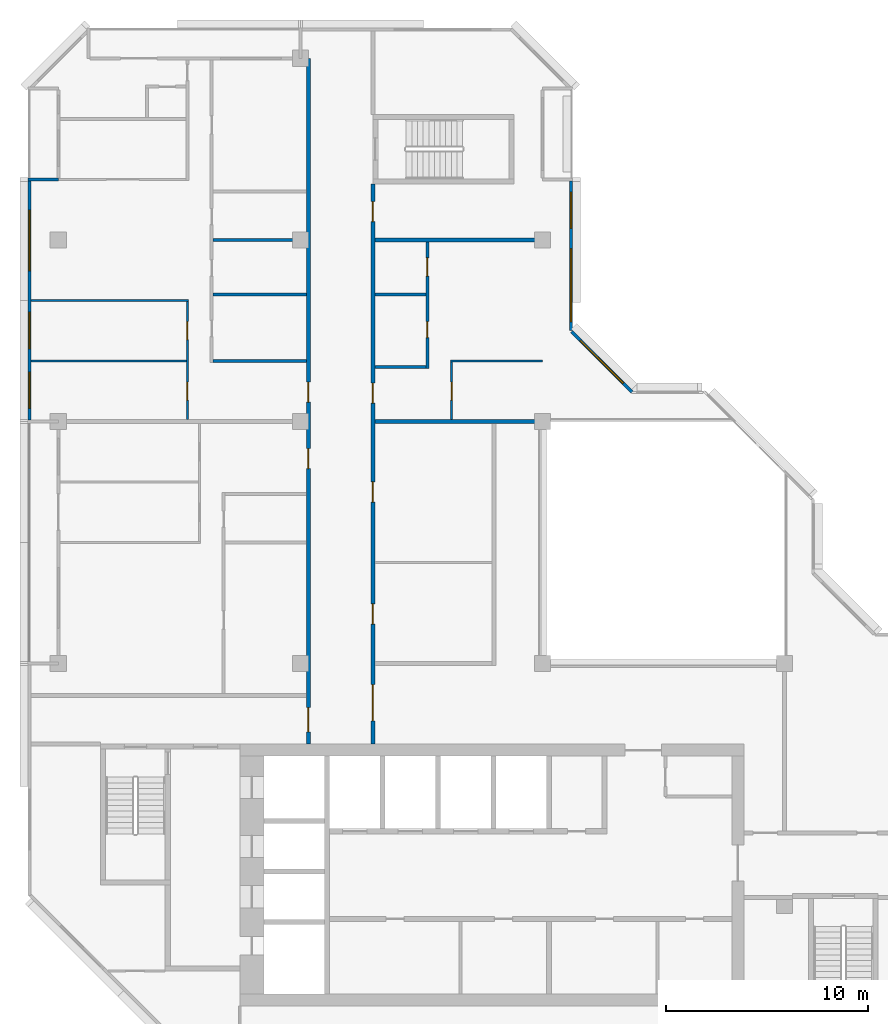
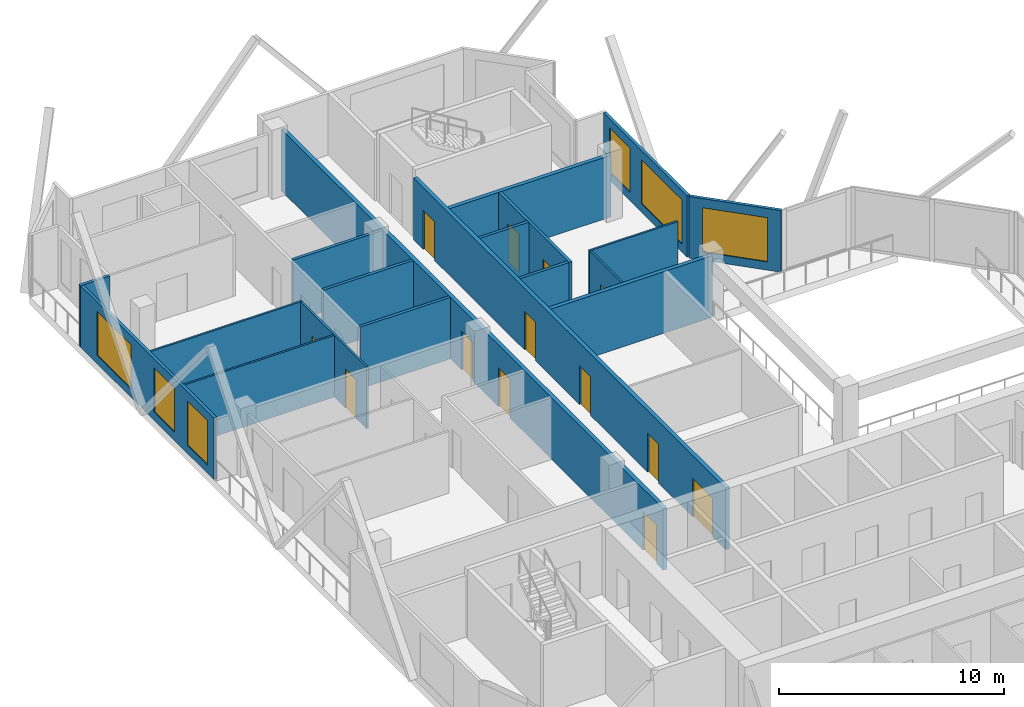
# One storey, part 9 of 13: 19 walls, 13 doors, 6 windows, 19 openings.
"""IFC4 building model written with IfcOpenShell, lengths in metres."""

from ifc_helpers import new_model, si_unit, direction, frame, frame_2d, origin, place, context, subcontext, project, spatial, rectangle, extrude, material, layer, layer_set, type_object, element, fill, save


model = new_model("IFC4")

# Units and contexts
model_context = context("Model", 3, precision=1e-05, world=origin(), true_north=direction((0.0, 1.0)))
body_context = subcontext(model_context, "Body", "Model", "MODEL_VIEW")
ifc_project = project(units=[si_unit("LENGTHUNIT", "METRE"), si_unit("AREAUNIT", "SQUARE_METRE"), si_unit("VOLUMEUNIT", "CUBIC_METRE"), si_unit("PLANEANGLEUNIT", "RADIAN"), si_unit("MASSUNIT", "GRAM", prefix="KILO")], contexts=[model_context])

# Site, building, storey
site_placement = place(None, origin())
site = spatial("IfcSite", under=ifc_project, at=site_placement, CompositionType="ELEMENT")
building_placement = place(site_placement, origin())
building = spatial("IfcBuilding", under=site, at=building_placement, Name="Chenar Terraces", CompositionType="ELEMENT")
storey_placement = place(building_placement, frame((0.0, 0.0, 273.39990234375)))
storey = spatial("IfcBuildingStorey", under=building, at=storey_placement, Name="L63", CompositionType="ELEMENT", Elevation=273.39990234375)

# Wall, openings, doors
ifc_material_1 = material(Name="Gypsum board on steel studs with fire boards", Category="steel")
ifc_layer_1 = layer(ifc_material_1, 0.199951171875)
ifc_layer_set_1 = layer_set([ifc_layer_1], Name="Gypsum board on steel studs with fire boards")
wall_type_1 = type_object("IfcWallType", Name="Corridor wall 200", PredefinedType="PARTITIONING", material=ifc_layer_set_1)
wall_1_placement = place(storey_placement, frame((12.39990234375, 20.0, 0.0), z_axis=(0.0, 0.0, 1.0), x_axis=(0.0, 1.0, 0.0)))
wall_1 = element("IfcWall", 1, at=wall_1_placement, inside=storey, type_object=wall_type_1, Name="Partition L63-028", PredefinedType="PARTITIONING", context=body_context, shape_type="SweptSolid", body=[
    extrude(rectangle(XDim=34.0, YDim=0.199951171875, at=frame_2d((17.0, 0.0))), origin(), (0.0, 0.0, 1.0), 3.35009765625),
])
opening_1_placement = place(wall_1_placement, frame((16.949951171875, 0.0, 0.0)))
opening_1 = element("IfcOpeningElement", 2, at=opening_1_placement, cuts=wall_1, Name="Opening DL63-23", PredefinedType="OPENING", context=body_context, shape_type="SweptSolid", body=[
    extrude(rectangle(XDim=1.0, YDim=2.10009765625, at=frame_2d((0.5, 1.050048828125))), frame((0.0, 0.10986328125, 0.0), z_axis=(0.0, -1.0, 0.0), x_axis=(1.0, 0.0, 0.0)), (0.0, 0.0, 1.0), 0.219970703125),
])
opening_2_placement = place(wall_1_placement, frame((0.60009765625, 0.0, 0.0)))
opening_2 = element("IfcOpeningElement", 3, at=opening_2_placement, cuts=wall_1, Name="Opening DL63-31", PredefinedType="OPENING", context=body_context, shape_type="SweptSolid", body=[
    extrude(rectangle(XDim=1.199951171875, YDim=2.10009765625, at=frame_2d((0.60009765625, 1.050048828125))), frame((0.0, 0.10986328125, 0.0), z_axis=(0.0, -1.0, 0.0), x_axis=(1.0, 0.0, 0.0)), (0.0, 0.0, 1.0), 0.219970703125),
])
opening_3_placement = place(wall_1_placement, frame((13.64990234375, 0.0, 0.0)))
opening_3 = element("IfcOpeningElement", 4, at=opening_3_placement, cuts=wall_1, Name="Opening DL63-51", PredefinedType="OPENING", context=body_context, shape_type="SweptSolid", body=[
    extrude(rectangle(XDim=1.0, YDim=2.10009765625, at=frame_2d((0.5, 1.050048828125))), frame((0.0, 0.10986328125, 0.0), z_axis=(0.0, -1.0, 0.0), x_axis=(1.0, 0.0, 0.0)), (0.0, 0.0, 1.0), 0.219970703125),
])
ifc_material_2 = material(Name="Steel-framed fire-resisting door leaf", Category="steel")
door_type_1 = type_object("IfcDoorType", Name="Fire door FD30S 1000 x 2100", OperationType="SINGLE_SWING_LEFT", PredefinedType="DOOR", material=ifc_material_2)
door_1_placement = place(opening_1_placement, origin())
door_1 = element("IfcDoor", 5, at=door_1_placement, inside=storey, type_object=door_type_1, Name="Door DL63-23", OperationType="SINGLE_SWING_LEFT", OverallHeight=2.10009765625, OverallWidth=1.0, PredefinedType="DOOR", context=body_context, shape_type="SweptSolid", body=[
    extrude(rectangle(XDim=1.0, YDim=2.10009765625, at=frame_2d((0.5, 1.050048828125))), frame((0.0, 0.02490234375, 0.0), z_axis=(0.0, -1.0, 0.0), x_axis=(1.0, 0.0, 0.0)), (0.0, 0.0, 1.0), 0.050048828125),
])
fill(opening_1, door_1)
door_2_placement = place(opening_3_placement, origin())
door_2 = element("IfcDoor", 6, at=door_2_placement, inside=storey, type_object=door_type_1, Name="Door DL63-51", OperationType="SINGLE_SWING_RIGHT", OverallHeight=2.10009765625, OverallWidth=1.0, PredefinedType="DOOR", context=body_context, shape_type="SweptSolid", body=[
    extrude(rectangle(XDim=1.0, YDim=2.10009765625, at=frame_2d((0.5, 1.050048828125))), frame((0.0, 0.02490234375, 0.0), z_axis=(0.0, -1.0, 0.0), x_axis=(1.0, 0.0, 0.0)), (0.0, 0.0, 1.0), 0.050048828125),
])
fill(opening_3, door_2)
ifc_material_3 = material(Name="Steel-framed fire-resisting door leaf", Category="steel")
door_type_2 = type_object("IfcDoorType", Name="Fire door FD30S 1200 x 2100", OperationType="SINGLE_SWING_LEFT", PredefinedType="DOOR", material=ifc_material_3)
door_3_placement = place(opening_2_placement, origin())
door_3 = element("IfcDoor", 7, at=door_3_placement, inside=storey, type_object=door_type_2, Name="Door DL63-31", OperationType="SINGLE_SWING_RIGHT", OverallHeight=2.10009765625, OverallWidth=1.199951171875, PredefinedType="DOOR", context=body_context, shape_type="SweptSolid", body=[
    extrude(rectangle(XDim=1.199951171875, YDim=2.10009765625, at=frame_2d((0.60009765625, 1.050048828125))), frame((0.0, 0.02490234375, 0.0), z_axis=(0.0, -1.0, 0.0), x_axis=(1.0, 0.0, 0.0)), (0.0, 0.0, 1.0), 0.050048828125),
])
fill(opening_2, door_3)

wall_2_placement = place(storey_placement, frame((15.60009765625, 20.0, 0.0), z_axis=(0.0, 0.0, 1.0), x_axis=(0.0, 1.0, 0.0)))
wall_2 = element("IfcWall", 8, at=wall_2_placement, inside=storey, type_object=wall_type_1, Name="Partition L63-030", PredefinedType="PARTITIONING", context=body_context, shape_type="SweptSolid", body=[
    extrude(rectangle(XDim=27.77490234375, YDim=0.199951171875, at=frame_2d((13.887451171875, 0.0))), origin(), (0.0, 0.0, 1.0), 3.35009765625),
])
opening_4_placement = place(wall_2_placement, frame((5.949951171875, 0.0, 0.0)))
opening_4 = element("IfcOpeningElement", 9, at=opening_4_placement, cuts=wall_2, Name="Opening DL63-1", PredefinedType="OPENING", context=body_context, shape_type="SweptSolid", body=[
    extrude(rectangle(XDim=1.0, YDim=2.10009765625, at=frame_2d((0.5, 1.050048828125))), frame((0.0, 0.10986328125, 0.0), z_axis=(0.0, -1.0, 0.0), x_axis=(1.0, 0.0, 0.0)), (0.0, 0.0, 1.0), 0.219970703125),
])
opening_5_placement = place(wall_2_placement, frame((12.0, 0.0, 0.0)))
opening_5 = element("IfcOpeningElement", 10, at=opening_5_placement, cuts=wall_2, Name="Opening DL63-2", PredefinedType="OPENING", context=body_context, shape_type="SweptSolid", body=[
    extrude(rectangle(XDim=1.0, YDim=2.10009765625, at=frame_2d((0.5, 1.050048828125))), frame((0.0, 0.10986328125, 0.0), z_axis=(0.0, -1.0, 0.0), x_axis=(1.0, 0.0, 0.0)), (0.0, 0.0, 1.0), 0.219970703125),
])
opening_6_placement = place(wall_2_placement, frame((16.89990234375, 0.0, 0.0)))
opening_6 = element("IfcOpeningElement", 11, at=opening_6_placement, cuts=wall_2, Name="Opening DL63-18", PredefinedType="OPENING", context=body_context, shape_type="SweptSolid", body=[
    extrude(rectangle(XDim=1.0, YDim=2.10009765625, at=frame_2d((0.5, 1.050048828125))), frame((0.0, 0.10986328125, 0.0), z_axis=(0.0, -1.0, 0.0), x_axis=(1.0, 0.0, 0.0)), (0.0, 0.0, 1.0), 0.219970703125),
])
opening_7_placement = place(wall_2_placement, frame((1.14990234375, 0.0, 0.0)))
opening_7 = element("IfcOpeningElement", 12, at=opening_7_placement, cuts=wall_2, Name="Opening DL63-30", PredefinedType="OPENING", context=body_context, shape_type="SweptSolid", body=[
    extrude(rectangle(XDim=1.800048828125, YDim=2.10009765625, at=frame_2d((0.89990234375, 1.050048828125))), frame((0.0, 0.10986328125, 0.0), z_axis=(0.0, -1.0, 0.0), x_axis=(1.0, 0.0, 0.0)), (0.0, 0.0, 1.0), 0.219970703125),
])
opening_8_placement = place(wall_2_placement, frame((25.89990234375, 0.0, 0.0)))
opening_8 = element("IfcOpeningElement", 13, at=opening_8_placement, cuts=wall_2, Name="Opening DL63-33", PredefinedType="OPENING", context=body_context, shape_type="SweptSolid", body=[
    extrude(rectangle(XDim=1.0, YDim=2.10009765625, at=frame_2d((0.5, 1.050048828125))), frame((0.0, 0.10986328125, 0.0), z_axis=(0.0, -1.0, 0.0), x_axis=(1.0, 0.0, 0.0)), (0.0, 0.0, 1.0), 0.219970703125),
])
ifc_material_4 = material(Name="Steel-framed fire-resisting door leaf", Category="steel")
door_type_3 = type_object("IfcDoorType", Name="Fire door FD60 1000 x 2100", OperationType="SINGLE_SWING_LEFT", PredefinedType="DOOR", material=ifc_material_4)
door_4_placement = place(opening_4_placement, frame((1.0, 0.0, 0.0), z_axis=(0.0, 0.0, 1.0), x_axis=(-1.0, 0.0, 0.0)))
door_4 = element("IfcDoor", 14, at=door_4_placement, inside=storey, type_object=door_type_3, Name="Door DL63-1", OperationType="SINGLE_SWING_LEFT", OverallHeight=2.10009765625, OverallWidth=1.0, PredefinedType="DOOR", context=body_context, shape_type="SweptSolid", body=[
    extrude(rectangle(XDim=1.0, YDim=2.10009765625, at=frame_2d((0.5, 1.050048828125))), frame((0.0, 0.02490234375, 0.0), z_axis=(0.0, -1.0, 0.0), x_axis=(1.0, 0.0, 0.0)), (0.0, 0.0, 1.0), 0.050048828125),
])
fill(opening_4, door_4)
door_5_placement = place(opening_5_placement, frame((1.0, 0.0, 0.0), z_axis=(0.0, 0.0, 1.0), x_axis=(-1.0, 0.0, 0.0)))
door_5 = element("IfcDoor", 15, at=door_5_placement, inside=storey, type_object=door_type_3, Name="Door DL63-2", OperationType="SINGLE_SWING_LEFT", OverallHeight=2.10009765625, OverallWidth=1.0, PredefinedType="DOOR", context=body_context, shape_type="SweptSolid", body=[
    extrude(rectangle(XDim=1.0, YDim=2.10009765625, at=frame_2d((0.5, 1.050048828125))), frame((0.0, 0.02490234375, 0.0), z_axis=(0.0, -1.0, 0.0), x_axis=(1.0, 0.0, 0.0)), (0.0, 0.0, 1.0), 0.050048828125),
])
fill(opening_5, door_5)
door_6_placement = place(opening_6_placement, frame((1.0, 0.0, 0.0), z_axis=(0.0, 0.0, 1.0), x_axis=(-1.0, 0.0, 0.0)))
door_6 = element("IfcDoor", 16, at=door_6_placement, inside=storey, type_object=door_type_3, Name="Door DL63-18", OperationType="SINGLE_SWING_LEFT", OverallHeight=2.10009765625, OverallWidth=1.0, PredefinedType="DOOR", context=body_context, shape_type="SweptSolid", body=[
    extrude(rectangle(XDim=1.0, YDim=2.10009765625, at=frame_2d((0.5, 1.050048828125))), frame((0.0, 0.02490234375, 0.0), z_axis=(0.0, -1.0, 0.0), x_axis=(1.0, 0.0, 0.0)), (0.0, 0.0, 1.0), 0.050048828125),
])
fill(opening_6, door_6)
door_7_placement = place(opening_8_placement, frame((1.0, 0.0, 0.0), z_axis=(0.0, 0.0, 1.0), x_axis=(-1.0, 0.0, 0.0)))
door_7 = element("IfcDoor", 17, at=door_7_placement, inside=storey, type_object=door_type_3, Name="Door DL63-33", OperationType="SINGLE_SWING_RIGHT", OverallHeight=2.10009765625, OverallWidth=1.0, PredefinedType="DOOR", context=body_context, shape_type="SweptSolid", body=[
    extrude(rectangle(XDim=1.0, YDim=2.10009765625, at=frame_2d((0.5, 1.050048828125))), frame((0.0, 0.02490234375, 0.0), z_axis=(0.0, -1.0, 0.0), x_axis=(1.0, 0.0, 0.0)), (0.0, 0.0, 1.0), 0.050048828125),
])
fill(opening_8, door_7)
ifc_material_5 = material(Name="Steel-framed fire-resisting door leaf", Category="steel")
door_type_4 = type_object("IfcDoorType", Name="Fire double door FD60 1800 x 2100", OperationType="DOUBLE_DOOR_SINGLE_SWING", PredefinedType="DOOR", material=ifc_material_5)
door_8_placement = place(opening_7_placement, frame((1.800048828125, 0.0, 0.0), z_axis=(0.0, 0.0, 1.0), x_axis=(-1.0, 0.0, 0.0)))
door_8 = element("IfcDoor", 18, at=door_8_placement, inside=storey, type_object=door_type_4, Name="Door DL63-30", OperationType="DOUBLE_DOOR_SINGLE_SWING", OverallHeight=2.10009765625, OverallWidth=1.800048828125, PredefinedType="DOOR", context=body_context, shape_type="SweptSolid", body=[
    extrude(rectangle(XDim=1.800048828125, YDim=2.10009765625, at=frame_2d((0.89990234375, 1.050048828125))), frame((0.0, 0.02490234375, 0.0), z_axis=(0.0, -1.0, 0.0), x_axis=(1.0, 0.0, 0.0)), (0.0, 0.0, 1.0), 0.050048828125),
])
fill(opening_7, door_8)

# Wall, openings, windows
ifc_material_6 = material(Name="Aluminium framed glazing", Category="aluminium")
ifc_layer_2 = layer(ifc_material_6, 0.14990234375)
ifc_layer_set_2 = layer_set([ifc_layer_2], Name="Aluminium framed glazing")
wall_type_2 = type_object("IfcWallType", Name="Glazed flush facade wall 150", PredefinedType="SOLIDWALL", material=ifc_layer_set_2)
wall_3_placement = place(storey_placement, frame((25.425048828125, 40.5, 0.0), z_axis=(0.0, 0.0, 1.0), x_axis=(0.0, 1.0, 0.0)))
wall_3 = element("IfcWall", 19, at=wall_3_placement, inside=storey, type_object=wall_type_2, Name="Glazed flush facade wall", PredefinedType="SOLIDWALL", context=body_context, shape_type="SweptSolid", body=[
    extrude(rectangle(XDim=7.425048828125, YDim=0.14990234375, at=frame_2d((3.71240234375, 0.0))), origin(), (0.0, 0.0, 1.0), 3.35009765625),
])
opening_9_placement = place(wall_3_placement, frame((0.449951171875, 0.0, 0.449951171875)))
opening_9 = element("IfcOpeningElement", 20, at=opening_9_placement, cuts=wall_3, Name="Opening W360x240", PredefinedType="OPENING", context=body_context, shape_type="SweptSolid", body=[
    extrude(rectangle(XDim=3.60009765625, YDim=2.39990234375, at=frame_2d((1.800048828125, 1.199951171875))), frame((0.0, 0.0849609375, 0.0), z_axis=(0.0, -1.0, 0.0), x_axis=(1.0, 0.0, 0.0)), (0.0, 0.0, 1.0), 0.169921875),
])
opening_10_placement = place(wall_3_placement, frame((5.0625, 0.0, 0.449951171875)))
opening_10 = element("IfcOpeningElement", 21, at=opening_10_placement, cuts=wall_3, Name="Opening W180x240", PredefinedType="OPENING", context=body_context, shape_type="SweptSolid", body=[
    extrude(rectangle(XDim=1.800048828125, YDim=2.39990234375, at=frame_2d((0.89990234375, 1.199951171875))), frame((0.0, 0.0849609375, 0.0), z_axis=(0.0, -1.0, 0.0), x_axis=(1.0, 0.0, 0.0)), (0.0, 0.0, 1.0), 0.169921875),
])
ifc_material_7 = material(Name="Low emissivity double glazing, aluminium frame", Category="aluminium")
window_type_1 = type_object("IfcWindowType", Name="Fixed light 1800 x 2400", PartitioningType="SINGLE_PANEL", PredefinedType="WINDOW", material=ifc_material_7)
window_1_placement = place(opening_10_placement, origin())
window_1 = element("IfcWindow", 22, at=window_1_placement, inside=storey, type_object=window_type_1, Name="Window", OverallHeight=2.39990234375, OverallWidth=1.800048828125, PartitioningType="SINGLE_PANEL", PredefinedType="WINDOW", context=body_context, shape_type="SweptSolid", body=[
    extrude(rectangle(XDim=1.800048828125, YDim=2.39990234375, at=frame_2d((0.89990234375, 1.199951171875))), frame((0.0, 0.030029296875, 0.0), z_axis=(0.0, -1.0, 0.0), x_axis=(1.0, 0.0, 0.0)), (0.0, 0.0, 1.0), 0.06005859375),
])
fill(opening_10, window_1)
ifc_material_8 = material(Name="Low emissivity double glazing, aluminium frame", Category="aluminium")
window_type_2 = type_object("IfcWindowType", Name="Fixed light 3600 x 2400", PartitioningType="SINGLE_PANEL", PredefinedType="WINDOW", material=ifc_material_8)
window_2_placement = place(opening_9_placement, origin())
window_2 = element("IfcWindow", 23, at=window_2_placement, inside=storey, type_object=window_type_2, Name="Window", OverallHeight=2.39990234375, OverallWidth=3.60009765625, PartitioningType="SINGLE_PANEL", PredefinedType="WINDOW", context=body_context, shape_type="SweptSolid", body=[
    extrude(rectangle(XDim=3.60009765625, YDim=2.39990234375, at=frame_2d((1.800048828125, 1.199951171875))), frame((0.0, 0.030029296875, 0.0), z_axis=(0.0, -1.0, 0.0), x_axis=(1.0, 0.0, 0.0)), (0.0, 0.0, 1.0), 0.06005859375),
])
fill(opening_9, window_2)

wall_4_placement = place(storey_placement, frame((-1.425048828125, 47.925048828125, 0.0), z_axis=(0.0, 0.0, 1.0), x_axis=(0.0, -1.0, 0.0)))
wall_4 = element("IfcWall", 24, at=wall_4_placement, inside=storey, type_object=wall_type_2, Name="Glazed flush facade wall", PredefinedType="SOLIDWALL", context=body_context, shape_type="SweptSolid", body=[
    extrude(rectangle(XDim=11.85009765625, YDim=0.14990234375, at=frame_2d((5.925048828125, 0.0))), origin(), (0.0, 0.0, 1.0), 3.35009765625),
])
opening_11_placement = place(wall_4_placement, frame((1.46240234375, 0.0, 0.449951171875)))
opening_11 = element("IfcOpeningElement", 25, at=opening_11_placement, cuts=wall_4, Name="Opening W300x240", PredefinedType="OPENING", context=body_context, shape_type="SweptSolid", body=[
    extrude(rectangle(XDim=3.0, YDim=2.39990234375, at=frame_2d((1.5, 1.199951171875))), frame((0.0, 0.0849609375, 0.0), z_axis=(0.0, -1.0, 0.0), x_axis=(1.0, 0.0, 0.0)), (0.0, 0.0, 1.0), 0.169921875),
])
opening_12_placement = place(wall_4_placement, frame((6.52490234375, 0.0, 0.449951171875)))
opening_12 = element("IfcOpeningElement", 26, at=opening_12_placement, cuts=wall_4, Name="Opening W180x240", PredefinedType="OPENING", context=body_context, shape_type="SweptSolid", body=[
    extrude(rectangle(XDim=1.800048828125, YDim=2.39990234375, at=frame_2d((0.89990234375, 1.199951171875))), frame((0.0, 0.0849609375, 0.0), z_axis=(0.0, -1.0, 0.0), x_axis=(1.0, 0.0, 0.0)), (0.0, 0.0, 1.0), 0.169921875),
])
opening_13_placement = place(wall_4_placement, frame((9.487548828125, 0.0, 0.449951171875)))
opening_13 = element("IfcOpeningElement", 27, at=opening_13_placement, cuts=wall_4, Name="Opening W180x240", PredefinedType="OPENING", context=body_context, shape_type="SweptSolid", body=[
    extrude(rectangle(XDim=1.800048828125, YDim=2.39990234375, at=frame_2d((0.89990234375, 1.199951171875))), frame((0.0, 0.0849609375, 0.0), z_axis=(0.0, -1.0, 0.0), x_axis=(1.0, 0.0, 0.0)), (0.0, 0.0, 1.0), 0.169921875),
])
window_3_placement = place(opening_12_placement, origin())
window_3 = element("IfcWindow", 28, at=window_3_placement, inside=storey, type_object=window_type_1, Name="Window", OverallHeight=2.39990234375, OverallWidth=1.800048828125, PartitioningType="SINGLE_PANEL", PredefinedType="WINDOW", context=body_context, shape_type="SweptSolid", body=[
    extrude(rectangle(XDim=1.800048828125, YDim=2.39990234375, at=frame_2d((0.89990234375, 1.199951171875))), frame((0.0, 0.030029296875, 0.0), z_axis=(0.0, -1.0, 0.0), x_axis=(1.0, 0.0, 0.0)), (0.0, 0.0, 1.0), 0.06005859375),
])
fill(opening_12, window_3)
window_4_placement = place(opening_13_placement, origin())
window_4 = element("IfcWindow", 29, at=window_4_placement, inside=storey, type_object=window_type_1, Name="Window", OverallHeight=2.39990234375, OverallWidth=1.800048828125, PartitioningType="SINGLE_PANEL", PredefinedType="WINDOW", context=body_context, shape_type="SweptSolid", body=[
    extrude(rectangle(XDim=1.800048828125, YDim=2.39990234375, at=frame_2d((0.89990234375, 1.199951171875))), frame((0.0, 0.030029296875, 0.0), z_axis=(0.0, -1.0, 0.0), x_axis=(1.0, 0.0, 0.0)), (0.0, 0.0, 1.0), 0.06005859375),
])
fill(opening_13, window_4)
ifc_material_9 = material(Name="Low emissivity double glazing, aluminium frame", Category="aluminium")
window_type_3 = type_object("IfcWindowType", Name="Fixed light 3000 x 2400", PartitioningType="SINGLE_PANEL", PredefinedType="WINDOW", material=ifc_material_9)
window_5_placement = place(opening_11_placement, origin())
window_5 = element("IfcWindow", 30, at=window_5_placement, inside=storey, type_object=window_type_3, Name="Window", OverallHeight=2.39990234375, OverallWidth=3.0, PartitioningType="SINGLE_PANEL", PredefinedType="WINDOW", context=body_context, shape_type="SweptSolid", body=[
    extrude(rectangle(XDim=3.0, YDim=2.39990234375, at=frame_2d((1.5, 1.199951171875))), frame((0.0, 0.030029296875, 0.0), z_axis=(0.0, -1.0, 0.0), x_axis=(1.0, 0.0, 0.0)), (0.0, 0.0, 1.0), 0.06005859375),
])
fill(opening_11, window_5)

# Walls
ifc_material_10 = material(Name="Gypsum board on steel studs", Category="steel")
ifc_layer_3 = layer(ifc_material_10, 0.10009765625)
ifc_layer_set_3 = layer_set([ifc_layer_3], Name="Gypsum board on steel studs")
wall_type_3 = type_object("IfcWallType", Name="Gypsum partition 100", PredefinedType="PARTITIONING", material=ifc_layer_set_3)
wall_5_placement = place(storey_placement, frame((-1.35107421875, 39.0, 0.0), z_axis=(0.0, 0.0, 1.0), x_axis=(1.0, 0.0, 0.0)))
element("IfcWall", 31, at=wall_5_placement, inside=storey, type_object=wall_type_3, Name="Partition L63-001", PredefinedType="PARTITIONING", context=body_context, shape_type="SweptSolid", body=[
    extrude(rectangle(XDim=7.701171875, YDim=0.10009765625, at=frame_2d((3.8505859375, 0.0))), origin(), (0.0, 0.0, 1.0), 3.35009765625),
])
wall_6_placement = place(storey_placement, frame((-1.35009765625, 42.0, 0.0), z_axis=(0.0, 0.0, 1.0), x_axis=(1.0, 0.0, 0.0)))
element("IfcWall", 32, at=wall_6_placement, inside=storey, type_object=wall_type_3, Name="Partition L63-005", PredefinedType="PARTITIONING", context=body_context, shape_type="SweptSolid", body=[
    extrude(rectangle(XDim=7.800048828125, YDim=0.10009765625, at=frame_2d((3.89990234375, 0.0))), origin(), (0.0, 0.0, 1.0), 3.35009765625),
])

# Wall, openings, doors
wall_7_placement = place(storey_placement, frame((6.39990234375, 36.10009765625, 0.0), z_axis=(0.0, 0.0, 1.0), x_axis=(0.0, 1.0, 0.0)))
wall_7 = element("IfcWall", 33, at=wall_7_placement, inside=storey, type_object=wall_type_3, Name="Partition L63-013", PredefinedType="PARTITIONING", context=body_context, shape_type="SweptSolid", body=[
    extrude(rectangle(XDim=5.849853515625, YDim=0.10009765625, at=frame_2d((2.9248046875, 0.0))), origin(), (0.0, 0.0, 1.0), 3.35009765625),
])
opening_14_placement = place(wall_7_placement, frame((0.949951171875, 0.0, 0.0)))
opening_14 = element("IfcOpeningElement", 34, at=opening_14_placement, cuts=wall_7, Name="Opening DL63-20", PredefinedType="OPENING", context=body_context, shape_type="SweptSolid", body=[
    extrude(rectangle(XDim=0.89990234375, YDim=2.10009765625, at=frame_2d((0.449951171875, 1.050048828125))), frame((0.0, 0.06005859375, 0.0), z_axis=(0.0, -1.0, 0.0), x_axis=(1.0, 0.0, 0.0)), (0.0, 0.0, 1.0), 0.1201171875),
])
opening_15_placement = place(wall_7_placement, frame((3.949951171875, 0.0, 0.0)))
opening_15 = element("IfcOpeningElement", 35, at=opening_15_placement, cuts=wall_7, Name="Opening DL63-21", PredefinedType="OPENING", context=body_context, shape_type="SweptSolid", body=[
    extrude(rectangle(XDim=0.89990234375, YDim=2.10009765625, at=frame_2d((0.449951171875, 1.050048828125))), frame((0.0, 0.06005859375, 0.0), z_axis=(0.0, -1.0, 0.0), x_axis=(1.0, 0.0, 0.0)), (0.0, 0.0, 1.0), 0.1201171875),
])
ifc_material_11 = material(Name="Veneered timber door leaf", Category="wood")
door_type_5 = type_object("IfcDoorType", Name="Door 900 x 2100", OperationType="SINGLE_SWING_LEFT", PredefinedType="DOOR", material=ifc_material_11)
door_9_placement = place(opening_14_placement, origin())
door_9 = element("IfcDoor", 36, at=door_9_placement, inside=storey, type_object=door_type_5, Name="Door DL63-20", OperationType="SINGLE_SWING_RIGHT", OverallHeight=2.10009765625, OverallWidth=0.89990234375, PredefinedType="DOOR", context=body_context, shape_type="SweptSolid", body=[
    extrude(rectangle(XDim=0.89990234375, YDim=2.10009765625, at=frame_2d((0.449951171875, 1.050048828125))), frame((0.0, 0.02490234375, 0.0), z_axis=(0.0, -1.0, 0.0), x_axis=(1.0, 0.0, 0.0)), (0.0, 0.0, 1.0), 0.050048828125),
])
fill(opening_14, door_9)
door_10_placement = place(opening_15_placement, origin())
door_10 = element("IfcDoor", 37, at=door_10_placement, inside=storey, type_object=door_type_5, Name="Door DL63-21", OperationType="SINGLE_SWING_RIGHT", OverallHeight=2.10009765625, OverallWidth=0.89990234375, PredefinedType="DOOR", context=body_context, shape_type="SweptSolid", body=[
    extrude(rectangle(XDim=0.89990234375, YDim=2.10009765625, at=frame_2d((0.449951171875, 1.050048828125))), frame((0.0, 0.02490234375, 0.0), z_axis=(0.0, -1.0, 0.0), x_axis=(1.0, 0.0, 0.0)), (0.0, 0.0, 1.0), 0.050048828125),
])
fill(opening_15, door_10)

# Wall
wall_8_placement = place(storey_placement, frame((19.449951171875, 39.0, 0.0), z_axis=(0.0, 0.0, 1.0), x_axis=(1.0, 0.0, 0.0)))
element("IfcWall", 38, at=wall_8_placement, inside=storey, type_object=wall_type_3, Name="Partition L63-040", PredefinedType="PARTITIONING", context=body_context, shape_type="SweptSolid", body=[
    extrude(rectangle(XDim=4.550048828125, YDim=0.10009765625, at=frame_2d((2.27490234375, 0.0))), origin(), (0.0, 0.0, 1.0), 3.35009765625),
])

# Wall, opening, door
wall_9_placement = place(storey_placement, frame((19.5, 36.10009765625, 0.0), z_axis=(0.0, 0.0, 1.0), x_axis=(0.0, 1.0, 0.0)))
wall_9 = element("IfcWall", 39, at=wall_9_placement, inside=storey, type_object=wall_type_3, Name="Partition L63-041", PredefinedType="PARTITIONING", context=body_context, shape_type="SweptSolid", body=[
    extrude(rectangle(XDim=2.849853515625, YDim=0.10009765625, at=frame_2d((1.4248046875, 0.0))), origin(), (0.0, 0.0, 1.0), 3.35009765625),
])
opening_16_placement = place(wall_9_placement, frame((0.949951171875, 0.0, 0.0)))
opening_16 = element("IfcOpeningElement", 40, at=opening_16_placement, cuts=wall_9, Name="Opening DL63-16", PredefinedType="OPENING", context=body_context, shape_type="SweptSolid", body=[
    extrude(rectangle(XDim=0.89990234375, YDim=2.10009765625, at=frame_2d((0.449951171875, 1.050048828125))), frame((0.0, 0.06005859375, 0.0), z_axis=(0.0, -1.0, 0.0), x_axis=(1.0, 0.0, 0.0)), (0.0, 0.0, 1.0), 0.1201171875),
])
door_11_placement = place(opening_16_placement, frame((0.89990234375, 0.0, 0.0), z_axis=(0.0, 0.0, 1.0), x_axis=(-1.0, 0.0, 0.0)))
door_11 = element("IfcDoor", 41, at=door_11_placement, inside=storey, type_object=door_type_5, Name="Door DL63-16", OperationType="SINGLE_SWING_LEFT", OverallHeight=2.10009765625, OverallWidth=0.89990234375, PredefinedType="DOOR", context=body_context, shape_type="SweptSolid", body=[
    extrude(rectangle(XDim=0.89990234375, YDim=2.10009765625, at=frame_2d((0.449951171875, 1.050048828125))), frame((0.0, 0.02490234375, 0.0), z_axis=(0.0, -1.0, 0.0), x_axis=(1.0, 0.0, 0.0)), (0.0, 0.0, 1.0), 0.050048828125),
])
fill(opening_16, door_11)

# Wall
ifc_material_12 = material(Name="Terracotta cladding on insulated backing", Category="masonry")
ifc_layer_4 = layer(ifc_material_12, 0.14990234375)
ifc_layer_set_4 = layer_set([ifc_layer_4], Name="Terracotta cladding on insulated backing")
wall_type_4 = type_object("IfcWallType", Name="Loggia return wall 150", PredefinedType="SOLIDWALL", material=ifc_layer_set_4)
wall_10_placement = place(storey_placement, frame((-1.5, 48.0, 0.0), z_axis=(0.0, 0.0, 1.0), x_axis=(1.0, 0.0, 0.0)))
element("IfcWall", 42, at=wall_10_placement, inside=storey, type_object=wall_type_4, Name="Loggia return wall", PredefinedType="SOLIDWALL", context=body_context, shape_type="SweptSolid", body=[
    extrude(rectangle(XDim=1.5, YDim=0.14990234375, at=frame_2d((0.75, 0.0))), origin(), (0.0, 0.0, 1.0), 3.35009765625),
])

# Wall, opening, window
ifc_material_13 = material(Name="Terracotta cladding on insulated backing", Category="masonry")
ifc_layer_5 = layer(ifc_material_13, 0.14990234375)
ifc_layer_set_5 = layer_set([ifc_layer_5], Name="Terracotta cladding on insulated backing")
wall_type_5 = type_object("IfcWallType", Name="Terracotta rainscreen wall 150", PredefinedType="SOLIDWALL", material=ifc_layer_set_5)
wall_11_placement = place(storey_placement, frame((28.447021484375, 37.447021484375, 0.0), z_axis=(0.0, 0.0, 1.0), x_axis=(-0.707106781187, 0.707106781187, 0.0)))
wall_11 = element("IfcWall", 43, at=wall_11_placement, inside=storey, type_object=wall_type_5, Name="Terracotta rainscreen wall", PredefinedType="SOLIDWALL", context=body_context, shape_type="SweptSolid", body=[
    extrude(rectangle(XDim=4.24267578125, YDim=0.14990234375, at=frame_2d((2.121337890625, 0.0))), origin(), (0.0, 0.0, 1.0), 3.35009765625),
])
opening_17_placement = place(wall_11_placement, frame((0.621337890625, 0.0, 0.449951171875)))
opening_17 = element("IfcOpeningElement", 44, at=opening_17_placement, cuts=wall_11, Name="Opening W300x240", PredefinedType="OPENING", context=body_context, shape_type="SweptSolid", body=[
    extrude(rectangle(XDim=3.0, YDim=2.39990234375, at=frame_2d((1.5, 1.199951171875))), frame((0.0, 0.0849609375, 0.0), z_axis=(0.0, -1.0, 0.0), x_axis=(1.0, 0.0, 0.0)), (0.0, 0.0, 1.0), 0.169921875),
])
window_6_placement = place(opening_17_placement, origin())
window_6 = element("IfcWindow", 45, at=window_6_placement, inside=storey, type_object=window_type_3, Name="Window", OverallHeight=2.39990234375, OverallWidth=3.0, PartitioningType="SINGLE_PANEL", PredefinedType="WINDOW", context=body_context, shape_type="SweptSolid", body=[
    extrude(rectangle(XDim=3.0, YDim=2.39990234375, at=frame_2d((1.5, 1.199951171875))), frame((0.0, 0.030029296875, 0.0), z_axis=(0.0, -1.0, 0.0), x_axis=(1.0, 0.0, 0.0)), (0.0, 0.0, 1.0), 0.06005859375),
])
fill(opening_17, window_6)

# Walls
ifc_material_14 = material(Name="Twin gypsum board on steel studs with mineral wool", Category="steel")
ifc_layer_6 = layer(ifc_material_14, 0.199951171875)
ifc_layer_set_6 = layer_set([ifc_layer_6], Name="Twin gypsum board on steel studs with mineral wool")
wall_type_6 = type_object("IfcWallType", Name="Unit demising wall 200", PredefinedType="PARTITIONING", material=ifc_layer_set_6)
for number, where, z_axis, x_axis, name in (
    (46, (15.699951171875, 36.0, 0.0), (0.0, 0.0, 1.0), (1.0, 0.0, 0.0), "Partition L63-034"),
    (47, (15.699951171875, 45.0, 0.0), (0.0, 0.0, 1.0), (1.0, 0.0, 0.0), "Partition L63-037"),
):
    element("IfcWall", number, at=place(storey_placement, frame(where, z_axis=z_axis, x_axis=x_axis)), inside=storey, type_object=wall_type_6, Name=name, PredefinedType="PARTITIONING", context=body_context, shape_type="SweptSolid", body=[
        extrude(rectangle(XDim=8.300048828125, YDim=0.199951171875, at=frame_2d((4.14990234375, 0.0))), origin(), (0.0, 0.0, 1.0), 3.35009765625),
    ])
ifc_material_15 = material(Name="Moisture-resistant gypsum board on steel studs", Category="steel")
ifc_layer_7 = layer(ifc_material_15, 0.14990234375)
ifc_layer_set_7 = layer_set([ifc_layer_7], Name="Moisture-resistant gypsum board on steel studs")
wall_type_7 = type_object("IfcWallType", Name="Wet-room partition 150", PredefinedType="PARTITIONING", material=ifc_layer_set_7)
for number, where, z_axis, x_axis, name in (
    (48, (7.675048828125, 39.0, 0.0), (0.0, 0.0, 1.0), (1.0, 0.0, 0.0), "Partition L63-017"),
    (49, (7.675048828125, 42.300048828125, 0.0), (0.0, 0.0, 1.0), (1.0, 0.0, 0.0), "Partition L63-018"),
    (50, (7.675048828125, 45.0, 0.0), (0.0, 0.0, 1.0), (1.0, 0.0, 0.0), "Partition L63-019"),
):
    element("IfcWall", number, at=place(storey_placement, frame(where, z_axis=z_axis, x_axis=x_axis)), inside=storey, type_object=wall_type_7, Name=name, PredefinedType="PARTITIONING", context=body_context, shape_type="SweptSolid", body=[
        extrude(rectangle(XDim=4.625, YDim=0.14990234375, at=frame_2d((2.3125, 0.0))), origin(), (0.0, 0.0, 1.0), 3.35009765625),
    ])
for number, where, z_axis, x_axis, name in (
    (51, (15.699951171875, 38.699951171875, 0.0), (0.0, 0.0, 1.0), (1.0, 0.0, 0.0), "Partition L63-035"),
    (52, (15.699951171875, 42.300048828125, 0.0), (0.0, 0.0, 1.0), (1.0, 0.0, 0.0), "Partition L63-036"),
):
    element("IfcWall", number, at=place(storey_placement, frame(where, z_axis=z_axis, x_axis=x_axis)), inside=storey, type_object=wall_type_7, Name=name, PredefinedType="PARTITIONING", context=body_context, shape_type="SweptSolid", body=[
        extrude(rectangle(XDim=2.525146484375, YDim=0.14990234375, at=frame_2d((1.2626953125, 0.0))), origin(), (0.0, 0.0, 1.0), 3.35009765625),
    ])

# Wall, openings, doors
wall_12_placement = place(storey_placement, frame((18.300048828125, 38.625, 0.0), z_axis=(0.0, 0.0, 1.0), x_axis=(0.0, 1.0, 0.0)))
wall_12 = element("IfcWall", 53, at=wall_12_placement, inside=storey, type_object=wall_type_7, Name="Partition L63-039", PredefinedType="PARTITIONING", context=body_context, shape_type="SweptSolid", body=[
    extrude(rectangle(XDim=6.27490234375, YDim=0.14990234375, at=frame_2d((3.137451171875, 0.0))), origin(), (0.0, 0.0, 1.0), 3.35009765625),
])
opening_18_placement = place(wall_12_placement, frame((1.52490234375, 0.0, 0.0)))
opening_18 = element("IfcOpeningElement", 54, at=opening_18_placement, cuts=wall_12, Name="Opening DL63-15", PredefinedType="OPENING", context=body_context, shape_type="SweptSolid", body=[
    extrude(rectangle(XDim=0.800048828125, YDim=2.10009765625, at=frame_2d((0.39990234375, 1.050048828125))), frame((0.0, 0.0849609375, 0.0), z_axis=(0.0, -1.0, 0.0), x_axis=(1.0, 0.0, 0.0)), (0.0, 0.0, 1.0), 0.169921875),
])
opening_19_placement = place(wall_12_placement, frame((4.574951171875, 0.0, 0.0)))
opening_19 = element("IfcOpeningElement", 55, at=opening_19_placement, cuts=wall_12, Name="Opening DL63-17", PredefinedType="OPENING", context=body_context, shape_type="SweptSolid", body=[
    extrude(rectangle(XDim=0.89990234375, YDim=2.10009765625, at=frame_2d((0.449951171875, 1.050048828125))), frame((0.0, 0.0849609375, 0.0), z_axis=(0.0, -1.0, 0.0), x_axis=(1.0, 0.0, 0.0)), (0.0, 0.0, 1.0), 0.169921875),
])
ifc_material_16 = material(Name="Veneered timber door leaf", Category="wood")
door_type_6 = type_object("IfcDoorType", Name="Door 800 x 2100", OperationType="SINGLE_SWING_LEFT", PredefinedType="DOOR", material=ifc_material_16)
door_12_placement = place(opening_18_placement, origin())
door_12 = element("IfcDoor", 56, at=door_12_placement, inside=storey, type_object=door_type_6, Name="Door DL63-15", OperationType="SINGLE_SWING_RIGHT", OverallHeight=2.10009765625, OverallWidth=0.800048828125, PredefinedType="DOOR", context=body_context, shape_type="SweptSolid", body=[
    extrude(rectangle(XDim=0.800048828125, YDim=2.10009765625, at=frame_2d((0.39990234375, 1.050048828125))), frame((0.0, 0.02490234375, 0.0), z_axis=(0.0, -1.0, 0.0), x_axis=(1.0, 0.0, 0.0)), (0.0, 0.0, 1.0), 0.050048828125),
])
fill(opening_18, door_12)
door_13_placement = place(opening_19_placement, origin())
door_13 = element("IfcDoor", 57, at=door_13_placement, inside=storey, type_object=door_type_5, Name="Door DL63-17", OperationType="SINGLE_SWING_RIGHT", OverallHeight=2.10009765625, OverallWidth=0.89990234375, PredefinedType="DOOR", context=body_context, shape_type="SweptSolid", body=[
    extrude(rectangle(XDim=0.89990234375, YDim=2.10009765625, at=frame_2d((0.449951171875, 1.050048828125))), frame((0.0, 0.02490234375, 0.0), z_axis=(0.0, -1.0, 0.0), x_axis=(1.0, 0.0, 0.0)), (0.0, 0.0, 1.0), 0.050048828125),
])
fill(opening_19, door_13)

save(model, "model.ifc")
